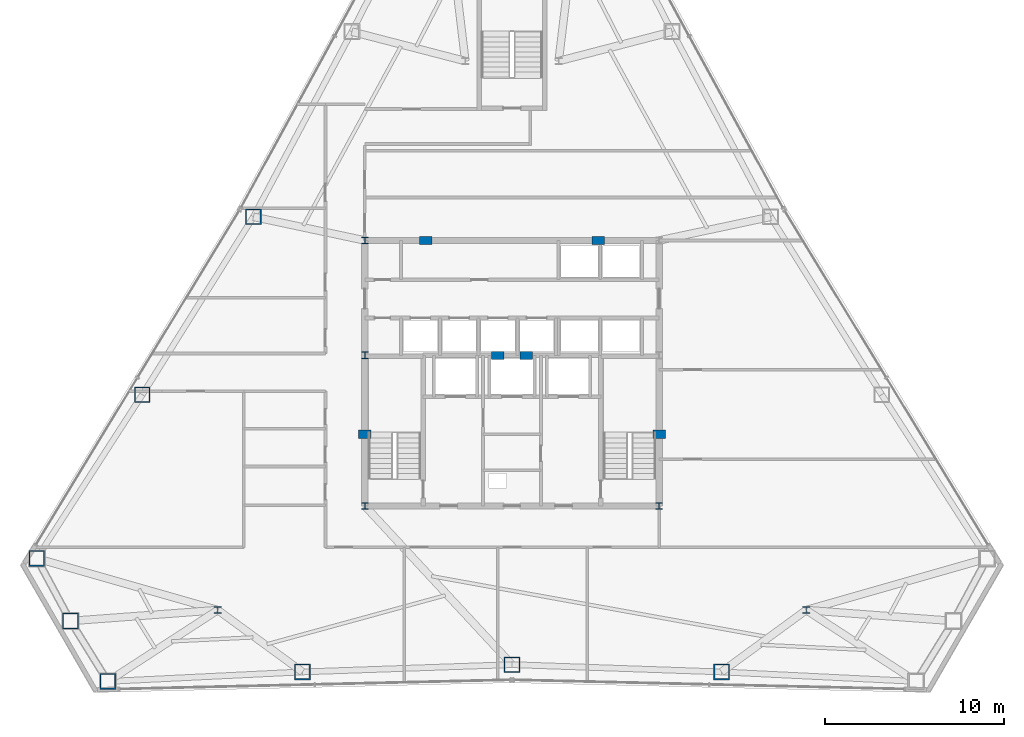
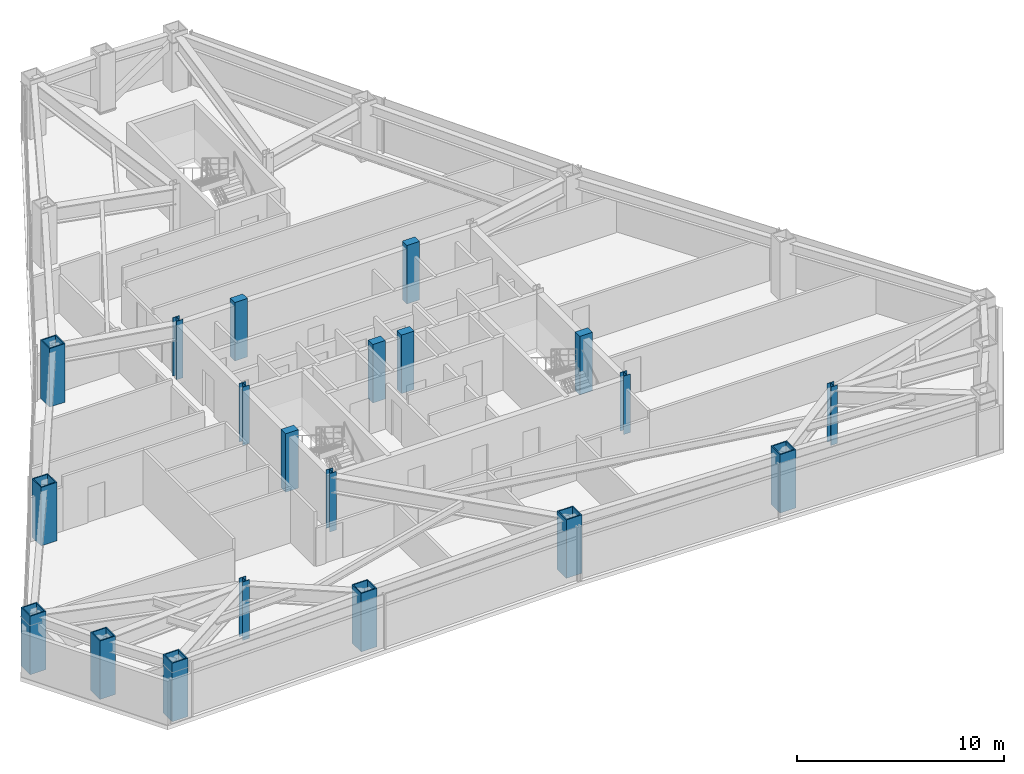
# One storey, part 1 of 11: 20 columns.
"""IFC4 building model written with IfcOpenShell, lengths in metres."""

from ifc_helpers import new_model, si_unit, direction, frame, origin, origin_2d, place, context, subcontext, project, spatial, rectangle, hollow_rectangle, i_section, extrude, material, material_profile, profile_set, type_object, element, save


model = new_model("IFC4")

# Units and contexts
model_context = context("Model", 3, precision=1e-05, world=origin(), true_north=direction((0.0, 1.0)))
body_context = subcontext(model_context, "Body", "Model", "MODEL_VIEW")
ifc_project = project(units=[si_unit("LENGTHUNIT", "METRE"), si_unit("AREAUNIT", "SQUARE_METRE"), si_unit("VOLUMEUNIT", "CUBIC_METRE"), si_unit("PLANEANGLEUNIT", "RADIAN"), si_unit("MASSUNIT", "GRAM", prefix="KILO")], contexts=[model_context])

# Site, building, storey
site_placement = place(None, origin())
site = spatial("IfcSite", under=ifc_project, at=site_placement, CompositionType="ELEMENT")
building_placement = place(site_placement, origin())
building = spatial("IfcBuilding", under=site, at=building_placement, Name="Varakhsha Concourse Tower", CompositionType="ELEMENT")
storey_placement = place(building_placement, frame((0.0, 0.0, 150.5)))
storey = spatial("IfcBuildingStorey", under=building, at=storey_placement, Name="L43", CompositionType="ELEMENT", Elevation=150.5)

# Columns
ifc_material_1 = material(Name="Structural Steel ASTM A992 Grade 50", Category="steel")
ifc_material_profile_1 = material_profile(ifc_material_1, i_section(OverallWidth=0.3740234375, OverallDepth=0.3720703125, WebThickness=0.01611328125, FlangeThickness=0.02587890625, at=origin_2d()), Name="W14X132")
ifc_profile_set_1 = profile_set([ifc_material_profile_1], Name="Structural Steel ASTM A992 Grade 50")
column_type_1 = type_object("IfcColumnType", Name="CL-CORE-W14X132", PredefinedType="COLUMN", material=ifc_profile_set_1)
for number, where, z_axis, x_axis, name in (
    (1, (31.800048828125, 16.39990234375, 0.0), (0.0, 0.0, 1.0), (1.0, 0.0, 0.0), "L43 Core Column CC-SW"),
    (2, (48.199951171875, 16.39990234375, 0.0), (0.0, 0.0, 1.0), (1.0, 0.0, 0.0), "L43 Core Column CC-SE"),
    (3, (31.800048828125, 24.800048828125, 0.0), (0.0, 0.0, 1.0), (1.0, 0.0, 0.0), "L43 Core Column CC-MW"),
    (4, (31.800048828125, 31.199951171875, 0.0), (0.0, 0.0, 1.0), (1.0, 0.0, 0.0), "L43 Core Column CC-NW"),
    (5, (23.60009765625, 10.60009765625, 0.0), (0.0, 0.0, 1.0), (1.0, 0.0, 0.0), "L43 Core Column SS-W"),
    (6, (56.39990234375, 10.60009765625, 0.0), (0.0, 0.0, 1.0), (1.0, 0.0, 0.0), "L43 Core Column SS-E"),
):
    element("IfcColumn", number, at=place(storey_placement, frame(where, z_axis=z_axis, x_axis=x_axis)), inside=storey, type_object=column_type_1, Name=name, PredefinedType="COLUMN", context=body_context, shape_type="SweptSolid", body=[
        extrude(i_section(OverallWidth=0.3740234375, OverallDepth=0.3720703125, WebThickness=0.01611328125, FlangeThickness=0.02587890625, at=origin_2d()), origin(), (0.0, 0.0, 1.0), 3.449951171875),
    ])
ifc_material_2 = material(Name="Concrete fc 65 MPa", Category="concrete")
ifc_material_profile_2 = material_profile(ifc_material_2, rectangle(XDim=0.699951171875, YDim=0.449951171875, at=origin_2d()), Name="RC 700x450")
ifc_profile_set_2 = profile_set([ifc_material_profile_2], Name="Concrete fc 65 MPa")
column_type_2 = type_object("IfcColumnType", Name="CL-PIL-700X450", PredefinedType="PILASTER", material=ifc_profile_set_2)
for number, where, z_axis, x_axis, name in (
    (7, (31.800048828125, 20.39990234375, 0.0), (0.0, 0.0, 1.0), (1.0, 0.0, 0.0), "L43 Core Boundary Pilaster PIL-W1"),
    (8, (48.199951171875, 20.39990234375, 0.0), (0.0, 0.0, 1.0), (1.0, 0.0, 0.0), "L43 Core Boundary Pilaster PIL-E1"),
    (9, (35.199951171875, 31.199951171875, 0.0), (0.0, 0.0, 1.0), (1.0, 0.0, 0.0), "L43 Core Boundary Pilaster PIL-N1"),
    (10, (44.800048828125, 31.199951171875, 0.0), (0.0, 0.0, 1.0), (1.0, 0.0, 0.0), "L43 Core Boundary Pilaster PIL-N2"),
    (11, (39.199951171875, 24.800048828125, 0.0), (0.0, 0.0, 1.0), (1.0, 0.0, 0.0), "L43 Core Boundary Pilaster PIL-M1"),
    (12, (40.800048828125, 24.800048828125, 0.0), (0.0, 0.0, 1.0), (1.0, 0.0, 0.0), "L43 Core Boundary Pilaster PIL-M2"),
):
    element("IfcColumn", number, at=place(storey_placement, frame(where, z_axis=z_axis, x_axis=x_axis)), inside=storey, type_object=column_type_2, Name=name, PredefinedType="PILASTER", context=body_context, shape_type="SweptSolid", body=[
        extrude(rectangle(XDim=0.699951171875, YDim=0.449951171875, at=origin_2d()), origin(), (0.0, 0.0, 1.0), 3.449951171875),
    ])
ifc_material_3 = material(Name="Structural Steel ASTM A572 Grade 50", Category="steel")
ifc_material_profile_3 = material_profile(ifc_material_3, hollow_rectangle(XDim=0.8798828125, YDim=0.8798828125, WallThickness=0.06005859375, at=origin_2d()), Name="BOX 880x880x60")
ifc_profile_set_3 = profile_set([ifc_material_profile_3], Name="Structural Steel ASTM A572 Grade 50")
column_type_3 = type_object("IfcColumnType", Name="CL-TUBE-880", PredefinedType="COLUMN", material=ifc_profile_set_3)
for number, where, z_axis, x_axis, name in (
    (13, (25.587646484375, 32.52099609375, 0.0), (0.0, 0.0, 1.0), (1.0, 0.0, 0.0), "L43 Framed-Tube Column TC05"),
    (14, (19.3955078125, 22.6064453125, 0.0), (0.0, 0.0, 1.0), (1.0, 0.0, 0.0), "L43 Framed-Tube Column TC06"),
    (15, (13.514892578125, 13.481201171875, 0.0), (0.0, 0.0, 1.0), (1.0, 0.0, 0.0), "L43 Framed-Tube Column TC07"),
    (16, (15.388916015625, 9.99072265625, 0.0), (0.0, 0.0, 1.0), (1.0, 0.0, 0.0), "L43 Framed-Tube Column TC08"),
    (17, (17.474609375, 6.62255859375, 0.0), (0.0, 0.0, 1.0), (1.0, 0.0, 0.0), "L43 Framed-Tube Column TC09"),
    (18, (28.31787109375, 7.15283203125, 0.0), (0.0, 0.0, 1.0), (1.0, 0.0, 0.0), "L43 Framed-Tube Column TC10"),
    (19, (40.0, 7.55810546875, 0.0), (0.0, 0.0, 1.0), (1.0, 0.0, 0.0), "L43 Framed-Tube Column TC11"),
    (20, (51.68212890625, 7.15283203125, 0.0), (0.0, 0.0, 1.0), (1.0, 0.0, 0.0), "L43 Framed-Tube Column TC12"),
):
    element("IfcColumn", number, at=place(storey_placement, frame(where, z_axis=z_axis, x_axis=x_axis)), inside=storey, type_object=column_type_3, Name=name, PredefinedType="COLUMN", context=body_context, shape_type="SweptSolid", body=[
        extrude(hollow_rectangle(XDim=0.8798828125, YDim=0.8798828125, WallThickness=0.06005859375, at=origin_2d()), origin(), (0.0, 0.0, 1.0), 3.449951171875),
    ])

save(model, "model.ifc")
